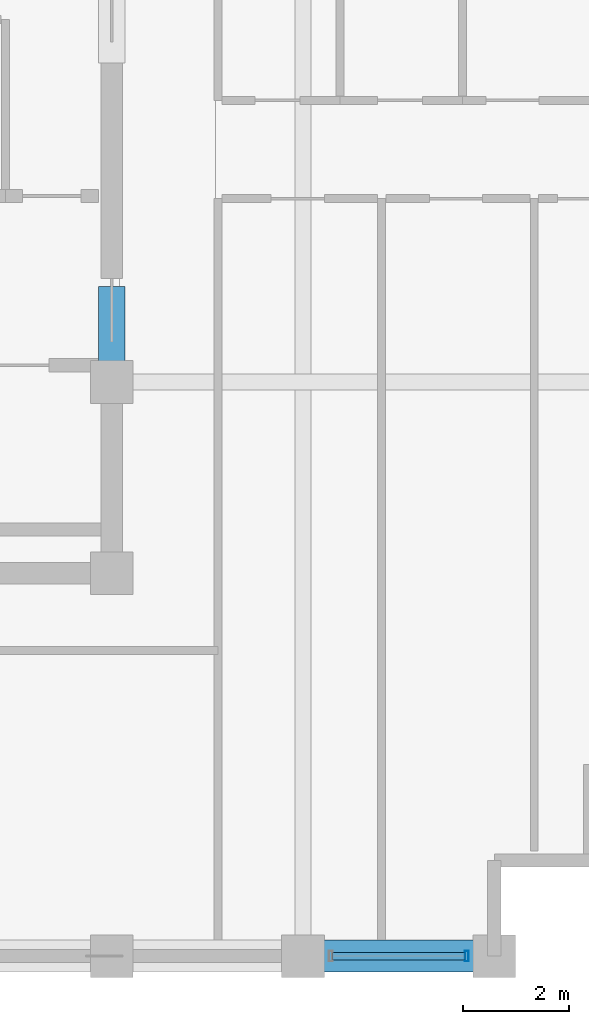
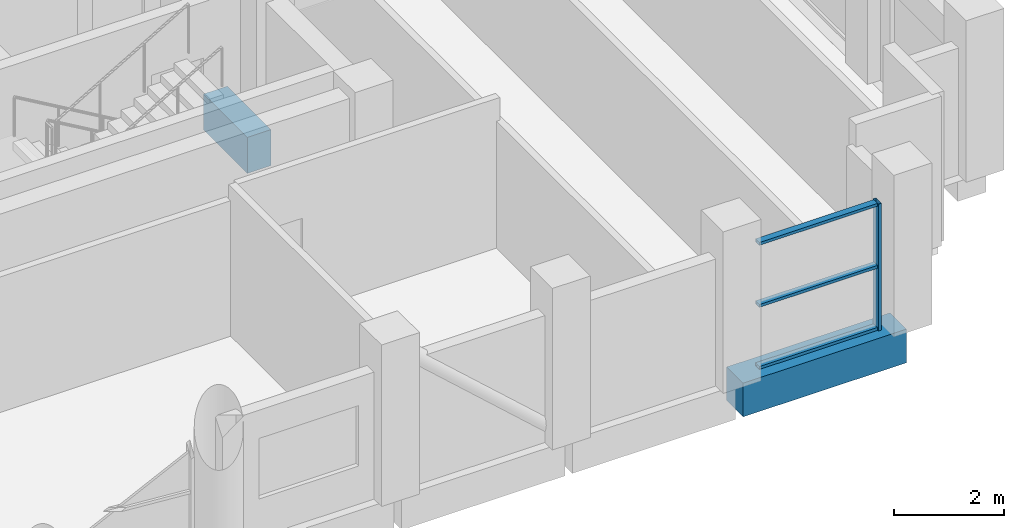
# One storey, part 5 of 17: 4 members, 2 beams, 1 element without a shape of its own.
"""IFC4 building model written with IfcOpenShell, lengths in metres."""

from ifc_helpers import new_model, si_unit, direction, frame, origin, origin_2d, place, context, subcontext, project, spatial, rectangle, hollow_rectangle, extrude, material, layer, layer_set, material_profile, profile_set, type_object, element, aggregate, save


model = new_model("IFC4")

# Units and contexts
model_context = context("Model", 3, precision=1e-05, world=origin(), true_north=direction((0.0, 1.0)))
body_context = subcontext(model_context, "Body", "Model", "MODEL_VIEW")
ifc_project = project(units=[si_unit("LENGTHUNIT", "METRE"), si_unit("AREAUNIT", "SQUARE_METRE"), si_unit("VOLUMEUNIT", "CUBIC_METRE"), si_unit("PLANEANGLEUNIT", "RADIAN"), si_unit("MASSUNIT", "GRAM", prefix="KILO")], contexts=[model_context])

# Site, building, storey
site_placement = place(None, origin())
site = spatial("IfcSite", under=ifc_project, at=site_placement, CompositionType="ELEMENT")
building_placement = place(site_placement, origin())
building = spatial("IfcBuilding", under=site, at=building_placement, Name="Solnavia Interchange Tower", CompositionType="ELEMENT")
storey_placement = place(building_placement, frame((0.0, 0.0, 291.800048828125)))
storey = spatial("IfcBuildingStorey", under=building, at=storey_placement, Name="L74", CompositionType="ELEMENT", Elevation=291.800048828125)

# Beams
ifc_material_1 = material(Name="Concrete C50/60", Category="concrete")
ifc_material_profile_1 = material_profile(ifc_material_1, rectangle(XDim=0.5, YDim=0.800048828125, at=origin_2d()), Name="RC 500x800")
ifc_profile_set_1 = profile_set([ifc_material_profile_1], Name="Concrete C50/60")
beam_type_1 = type_object("IfcBeamType", Name="Beam-Coupling-RC500x800", PredefinedType="LINTEL", material=ifc_profile_set_1)
beam_1_placement = place(storey_placement, frame((32.39990234375, 14.60009765625, -0.400146484375), z_axis=(0.0, 1.0, 0.0), x_axis=(-1.0, 0.0, 0.0)))
element("IfcBeam", 1, at=beam_1_placement, inside=storey, type_object=beam_type_1, Name="CPB-L74-E1 Core coupling lintel beam", PredefinedType="LINTEL", context=body_context, shape_type="SweptSolid", body=[
    extrude(rectangle(XDim=0.5, YDim=0.800048828125, at=origin_2d()), origin(), (0.0, 0.0, 1.0), 1.599853515625),
])
ifc_material_profile_2 = material_profile(ifc_material_1, rectangle(XDim=0.60009765625, YDim=0.75, at=origin_2d()), Name="RC 600x750")
ifc_profile_set_2 = profile_set([ifc_material_profile_2], Name="Concrete C50/60")
beam_type_2 = type_object("IfcBeamType", Name="Beam-Spandrel-RC600x750", PredefinedType="SPANDREL", material=ifc_profile_set_2)
beam_2_placement = place(storey_placement, frame((36.080078125, 3.60009765625, -0.375), z_axis=(1.0, 0.0, 0.0), x_axis=(0.0, 1.0, 0.0)))
element("IfcBeam", 2, at=beam_2_placement, inside=storey, type_object=beam_type_2, Name="SPB-L74-12 Framed-tube perimeter spandrel beam", PredefinedType="SPANDREL", context=body_context, shape_type="SweptSolid", body=[
    extrude(rectangle(XDim=0.60009765625, YDim=0.75, at=origin_2d()), origin(), (0.0, 0.0, 1.0), 3.43994140625),
])

# Curtain wall, members
ifc_material_2 = material(Name="Aluminium Alloy 6063-T6", Category="aluminium")
ifc_layer = layer(ifc_material_2, 0.219970703125)
ifc_layer_set = layer_set([ifc_layer], Name="Aluminium Alloy 6063-T6")
curtain_wall_type = type_object("IfcCurtainWallType", Name="CurtainWall-Tower-CTW3", PredefinedType="NOTDEFINED", material=ifc_layer_set)
curtain_wall_placement = place(storey_placement, origin())
curtain_wall = element("IfcCurtainWall", 3, at=curtain_wall_placement, inside=storey, type_object=curtain_wall_type, Name="CTW-L74-S04 CTW-3 curtain wall", PredefinedType="NOTDEFINED")
ifc_material_profile_3 = material_profile(ifc_material_2, hollow_rectangle(XDim=0.070068359375, YDim=0.199951171875, WallThickness=0.0048828125, at=origin_2d()), Name="ALU 200x70x5")
ifc_profile_set_3 = profile_set([ifc_material_profile_3], Name="Aluminium Alloy 6063-T6")
member_type_1 = type_object("IfcMemberType", Name="CW-Mullion-CWM-3", PredefinedType="MULLION", material=ifc_profile_set_3)
member_1_placement = place(storey_placement, frame((39.080078125, 3.60009765625, 0.0), z_axis=(0.0, 0.0, 1.0), x_axis=(1.0, 0.0, 0.0)))
member_1 = element("IfcMember", 4, at=member_1_placement, type_object=member_type_1, Name="CTW-3 mullion 2", PredefinedType="MULLION", context=body_context, shape_type="SweptSolid", body=[
    extrude(hollow_rectangle(XDim=0.070068359375, YDim=0.199951171875, WallThickness=0.0048828125, at=origin_2d()), origin(), (0.0, 0.0, 1.0), 2.829833984375),
])
ifc_material_profile_4 = material_profile(ifc_material_2, hollow_rectangle(XDim=0.06494140625, YDim=0.139892578125, WallThickness=0.00390625, at=origin_2d()), Name="ALU 140x65x4")
ifc_profile_set_4 = profile_set([ifc_material_profile_4], Name="Aluminium Alloy 6063-T6")
member_type_2 = type_object("IfcMemberType", Name="CW-Transom-CWT-3", PredefinedType="USERDEFINED", material=ifc_profile_set_4)
member_2_placement = place(storey_placement, frame((36.554931640625, 3.60009765625, 0.032470703125), z_axis=(1.0, 0.0, 0.0), x_axis=(0.0, 0.0, 1.0)))
member_2 = element("IfcMember", 5, at=member_2_placement, type_object=member_type_2, Name="CTW-3 transom 1.1", ObjectType="TRANSOM", PredefinedType="USERDEFINED", context=body_context, shape_type="SweptSolid", body=[
    extrude(hollow_rectangle(XDim=0.06494140625, YDim=0.139892578125, WallThickness=0.00390625, at=origin_2d()), origin(), (0.0, 0.0, 1.0), 2.489990234375),
])
member_3_placement = place(storey_placement, frame((36.554931640625, 3.60009765625, 1.4150390625), z_axis=(1.0, 0.0, 0.0), x_axis=(0.0, 0.0, 1.0)))
member_3 = element("IfcMember", 6, at=member_3_placement, type_object=member_type_2, Name="CTW-3 transom 1.2", ObjectType="TRANSOM", PredefinedType="USERDEFINED", context=body_context, shape_type="SweptSolid", body=[
    extrude(hollow_rectangle(XDim=0.06494140625, YDim=0.139892578125, WallThickness=0.00390625, at=origin_2d()), origin(), (0.0, 0.0, 1.0), 2.489990234375),
])
member_4_placement = place(storey_placement, frame((36.554931640625, 3.60009765625, 2.79736328125), z_axis=(1.0, 0.0, 0.0), x_axis=(0.0, 0.0, 1.0)))
member_4 = element("IfcMember", 7, at=member_4_placement, type_object=member_type_2, Name="CTW-3 transom 1.3", ObjectType="TRANSOM", PredefinedType="USERDEFINED", context=body_context, shape_type="SweptSolid", body=[
    extrude(hollow_rectangle(XDim=0.06494140625, YDim=0.139892578125, WallThickness=0.00390625, at=origin_2d()), origin(), (0.0, 0.0, 1.0), 2.489990234375),
])
aggregate(curtain_wall, [member_1, member_2, member_3, member_4])

save(model, "model.ifc")
